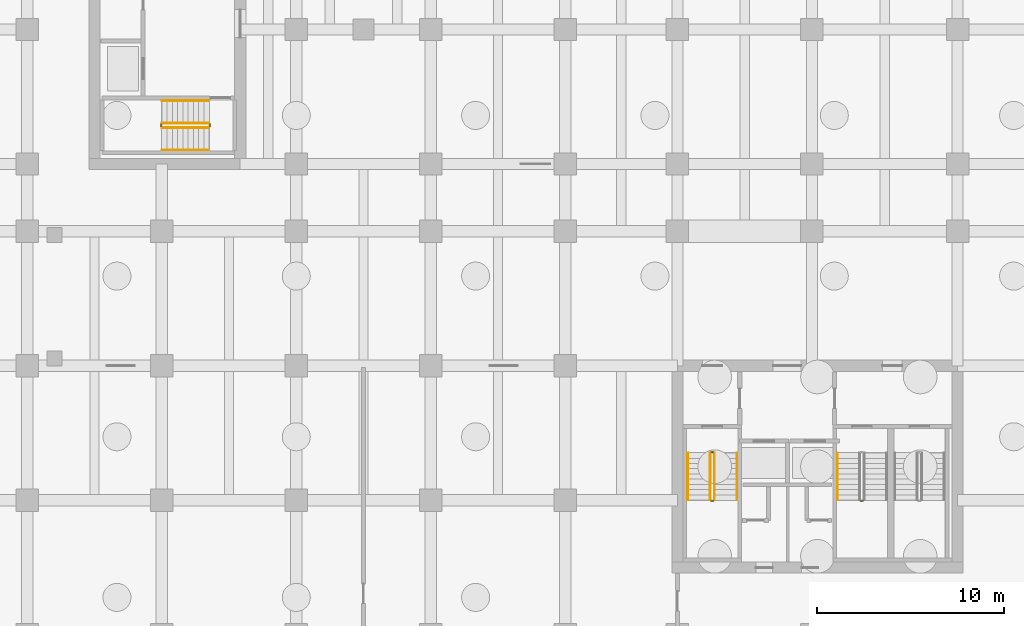
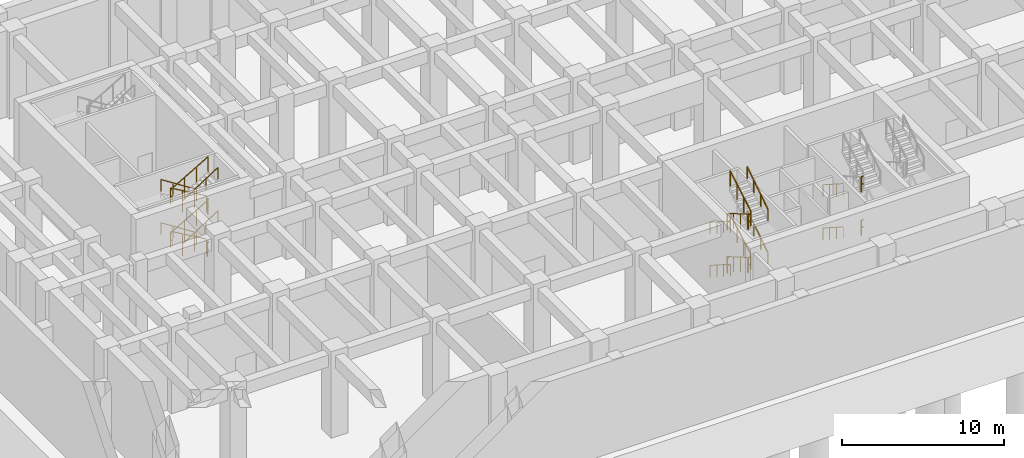
# One storey, part 10 of 13: 28 railings.
"""IFC4 building model written with IfcOpenShell, lengths in metres."""

from ifc_helpers import new_model, si_unit, derived_unit, direction, frame, origin, origin_2d, place, context, subcontext, project, spatial, rectangle, extrude, material, type_object, element, save


model = new_model("IFC4")

# Units and contexts
model_context = context("Model", 3, precision=1e-05, world=origin(), true_north=direction((0.0, 1.0)))
body_context = subcontext(model_context, "Body", "Model", "MODEL_VIEW")
ifc_project = project(units=[si_unit("LENGTHUNIT", "METRE"), si_unit("AREAUNIT", "SQUARE_METRE"), si_unit("VOLUMEUNIT", "CUBIC_METRE"), si_unit("PLANEANGLEUNIT", "RADIAN"), si_unit("MASSUNIT", "GRAM", prefix="KILO"), si_unit("THERMODYNAMICTEMPERATUREUNIT", "KELVIN"), si_unit("POWERUNIT", "WATT"), derived_unit("THERMALTRANSMITTANCEUNIT", [(si_unit("POWERUNIT", "WATT"), 1), (si_unit("AREAUNIT", "SQUARE_METRE"), -1), (si_unit("THERMODYNAMICTEMPERATUREUNIT", "KELVIN"), -1)])], contexts=[model_context])

# Site, building, storey
site_placement = place(None, origin())
site = spatial("IfcSite", under=ifc_project, at=site_placement, CompositionType="ELEMENT")
building_placement = place(site_placement, origin())
building = spatial("IfcBuilding", under=site, at=building_placement, Name="Zahravan Archway Hotel and Residences", CompositionType="ELEMENT")
storey_placement = place(building_placement, frame((0.0, 0.0, -13.0)))
storey = spatial("IfcBuildingStorey", under=building, at=storey_placement, Name="B02", CompositionType="ELEMENT", Elevation=-13.0)

# Railings
ifc_material_1 = material(Name="Painted Tubular Steel", Category="steel")
railing_type_1 = type_object("IfcRailingType", Name="RL-STG-1150", PredefinedType="GUARDRAIL", material=ifc_material_1)
railing_1_placement = place(storey_placement, frame((36.550048828125, 9.72998046875, 0.16259765625)))
element("IfcRailing", 1, at=railing_1_placement, inside=storey, type_object=railing_type_1, Name="B02 ST-A1 stair guard 1", PredefinedType="GUARDRAIL", context=body_context, shape_type="SweptSolid", body=[
    extrude(rectangle(XDim=0.048095703125, YDim=0.048095703125, at=origin_2d()), frame((0.0, 0.0, 1.1259765625), z_axis=(0.0, -0.864913338283, 0.50192122615), x_axis=(1.0, 0.0, 0.0)), (0.0, 0.0, 1.0), 2.91357421875),
    extrude(rectangle(XDim=0.0419921875, YDim=0.0419921875, at=origin_2d()), origin(), (0.0, 0.0, 1.0), 1.101806640625),
    extrude(rectangle(XDim=0.0419921875, YDim=0.0419921875, at=origin_2d()), frame((0.0, -0.840087890625, 0.487548828125)), (0.0, 0.0, 1.0), 1.101806640625),
    extrude(rectangle(XDim=0.0419921875, YDim=0.0419921875, at=origin_2d()), frame((0.0, -1.679931640625, 0.974853515625)), (0.0, 0.0, 1.0), 1.101806640625),
    extrude(rectangle(XDim=0.0419921875, YDim=0.0419921875, at=origin_2d()), frame((0.0, -2.52001953125, 1.46240234375)), (0.0, 0.0, 1.0), 1.101806640625),
])
railing_2_placement = place(storey_placement, frame((36.60009765625, 7.159912109375, 1.625)))
element("IfcRailing", 2, at=railing_2_placement, inside=storey, type_object=railing_type_1, Name="B02 ST-A1 stair guard 2", PredefinedType="GUARDRAIL", context=body_context, shape_type="SweptSolid", body=[
    extrude(rectangle(XDim=0.048095703125, YDim=0.048095703125, at=origin_2d()), frame((0.0, 0.0, 1.1259765625), z_axis=(1.0, 0.0, 0.0), x_axis=(0.0, 1.0, 0.0)), (0.0, 0.0, 1.0), 0.139892578125),
    extrude(rectangle(XDim=0.048095703125, YDim=0.048095703125, at=origin_2d()), frame((0.0, 0.0, 0.574951171875), z_axis=(1.0, 0.0, 0.0), x_axis=(0.0, 1.0, 0.0)), (0.0, 0.0, 1.0), 0.139892578125),
    extrude(rectangle(XDim=0.0419921875, YDim=0.0419921875, at=origin_2d()), origin(), (0.0, 0.0, 1.0), 1.101806640625),
])
railing_3_placement = place(storey_placement, frame((36.7900390625, 7.2099609375, 1.78759765625)))
element("IfcRailing", 3, at=railing_3_placement, inside=storey, type_object=railing_type_1, Name="B02 ST-A1 stair guard 3", PredefinedType="GUARDRAIL", context=body_context, shape_type="SweptSolid", body=[
    extrude(rectangle(XDim=0.048095703125, YDim=0.048095703125, at=origin_2d()), frame((0.0, 0.0, 1.1259765625), z_axis=(0.0, 0.864913338283, 0.50192122615), x_axis=(-1.0, 0.0, 0.0)), (0.0, 0.0, 1.0), 2.91357421875),
    extrude(rectangle(XDim=0.0419921875, YDim=0.0419921875, at=origin_2d()), origin(), (0.0, 0.0, 1.0), 1.101806640625),
    extrude(rectangle(XDim=0.0419921875, YDim=0.0419921875, at=origin_2d()), frame((0.0, 0.840087890625, 0.487548828125)), (0.0, 0.0, 1.0), 1.101806640625),
    extrude(rectangle(XDim=0.0419921875, YDim=0.0419921875, at=origin_2d()), frame((0.0, 1.679931640625, 0.974853515625)), (0.0, 0.0, 1.0), 1.101806640625),
    extrude(rectangle(XDim=0.0419921875, YDim=0.0419921875, at=origin_2d()), frame((0.0, 2.52001953125, 1.46240234375)), (0.0, 0.0, 1.0), 1.101806640625),
])
railing_4_placement = place(storey_placement, frame((36.60009765625, 9.780029296875, 3.25)))
element("IfcRailing", 4, at=railing_4_placement, inside=storey, type_object=railing_type_1, Name="B02 ST-A1 stair guard 4", PredefinedType="GUARDRAIL", context=body_context, shape_type="SweptSolid", body=[
    extrude(rectangle(XDim=0.048095703125, YDim=0.048095703125, at=origin_2d()), frame((0.0, 0.0, 1.1259765625), z_axis=(1.0, 0.0, 0.0), x_axis=(0.0, 1.0, 0.0)), (0.0, 0.0, 1.0), 0.139892578125),
    extrude(rectangle(XDim=0.048095703125, YDim=0.048095703125, at=origin_2d()), frame((0.0, 0.0, 0.574951171875), z_axis=(1.0, 0.0, 0.0), x_axis=(0.0, 1.0, 0.0)), (0.0, 0.0, 1.0), 0.139892578125),
    extrude(rectangle(XDim=0.0419921875, YDim=0.0419921875, at=origin_2d()), origin(), (0.0, 0.0, 1.0), 1.101806640625),
])
railing_5_placement = place(storey_placement, frame((36.550048828125, 9.72998046875, 3.41259765625)))
element("IfcRailing", 5, at=railing_5_placement, inside=storey, type_object=railing_type_1, Name="B02 ST-A1 stair guard 5", PredefinedType="GUARDRAIL", context=body_context, shape_type="SweptSolid", body=[
    extrude(rectangle(XDim=0.048095703125, YDim=0.048095703125, at=origin_2d()), frame((0.0, 0.0, 1.1259765625), z_axis=(0.0, -0.864913338283, 0.50192122615), x_axis=(1.0, 0.0, 0.0)), (0.0, 0.0, 1.0), 2.91357421875),
    extrude(rectangle(XDim=0.0419921875, YDim=0.0419921875, at=origin_2d()), origin(), (0.0, 0.0, 1.0), 1.101806640625),
    extrude(rectangle(XDim=0.0419921875, YDim=0.0419921875, at=origin_2d()), frame((0.0, -0.840087890625, 0.487548828125)), (0.0, 0.0, 1.0), 1.101806640625),
    extrude(rectangle(XDim=0.0419921875, YDim=0.0419921875, at=origin_2d()), frame((0.0, -1.679931640625, 0.974853515625)), (0.0, 0.0, 1.0), 1.101806640625),
    extrude(rectangle(XDim=0.0419921875, YDim=0.0419921875, at=origin_2d()), frame((0.0, -2.52001953125, 1.46240234375)), (0.0, 0.0, 1.0), 1.101806640625),
])
railing_6_placement = place(storey_placement, frame((36.60009765625, 7.159912109375, 4.875)))
element("IfcRailing", 6, at=railing_6_placement, inside=storey, type_object=railing_type_1, Name="B02 ST-A1 stair guard 6", PredefinedType="GUARDRAIL", context=body_context, shape_type="SweptSolid", body=[
    extrude(rectangle(XDim=0.048095703125, YDim=0.048095703125, at=origin_2d()), frame((0.0, 0.0, 1.1259765625), z_axis=(1.0, 0.0, 0.0), x_axis=(0.0, 1.0, 0.0)), (0.0, 0.0, 1.0), 0.139892578125),
    extrude(rectangle(XDim=0.048095703125, YDim=0.048095703125, at=origin_2d()), frame((0.0, 0.0, 0.574951171875), z_axis=(1.0, 0.0, 0.0), x_axis=(0.0, 1.0, 0.0)), (0.0, 0.0, 1.0), 0.139892578125),
    extrude(rectangle(XDim=0.0419921875, YDim=0.0419921875, at=origin_2d()), origin(), (0.0, 0.0, 1.0), 1.101806640625),
])
railing_7_placement = place(storey_placement, frame((36.7900390625, 7.2099609375, 5.03759765625)))
element("IfcRailing", 7, at=railing_7_placement, inside=storey, type_object=railing_type_1, Name="B02 ST-A1 stair guard 7", PredefinedType="GUARDRAIL", context=body_context, shape_type="SweptSolid", body=[
    extrude(rectangle(XDim=0.048095703125, YDim=0.048095703125, at=origin_2d()), frame((0.0, 0.0, 1.1259765625), z_axis=(0.0, 0.864913338283, 0.50192122615), x_axis=(-1.0, 0.0, 0.0)), (0.0, 0.0, 1.0), 2.91357421875),
    extrude(rectangle(XDim=0.0419921875, YDim=0.0419921875, at=origin_2d()), origin(), (0.0, 0.0, 1.0), 1.101806640625),
    extrude(rectangle(XDim=0.0419921875, YDim=0.0419921875, at=origin_2d()), frame((0.0, 0.840087890625, 0.487548828125)), (0.0, 0.0, 1.0), 1.101806640625),
    extrude(rectangle(XDim=0.0419921875, YDim=0.0419921875, at=origin_2d()), frame((0.0, 1.679931640625, 0.974853515625)), (0.0, 0.0, 1.0), 1.101806640625),
    extrude(rectangle(XDim=0.0419921875, YDim=0.0419921875, at=origin_2d()), frame((0.0, 2.52001953125, 1.46240234375)), (0.0, 0.0, 1.0), 1.101806640625),
])
for number, where, name in (
    (8, (36.60009765625, 9.780029296875, 0.0), "B02 ST-A1 stair guard 8"),
    (9, (44.6201171875, 7.159912109375, 1.625), "B02 ST-A2 stair guard 2"),
    (10, (44.6201171875, 7.159912109375, 4.875), "B02 ST-A2 stair guard 6"),
):
    element("IfcRailing", number, at=place(storey_placement, frame(where)), inside=storey, type_object=railing_type_1, Name=name, PredefinedType="GUARDRAIL", context=body_context, shape_type="SweptSolid", body=[
        extrude(rectangle(XDim=0.048095703125, YDim=0.048095703125, at=origin_2d()), frame((0.0, 0.0, 1.1259765625), z_axis=(1.0, 0.0, 0.0), x_axis=(0.0, 1.0, 0.0)), (0.0, 0.0, 1.0), 0.139892578125),
        extrude(rectangle(XDim=0.048095703125, YDim=0.048095703125, at=origin_2d()), frame((0.0, 0.0, 0.574951171875), z_axis=(1.0, 0.0, 0.0), x_axis=(0.0, 1.0, 0.0)), (0.0, 0.0, 1.0), 0.139892578125),
        extrude(rectangle(XDim=0.0419921875, YDim=0.0419921875, at=origin_2d()), origin(), (0.0, 0.0, 1.0), 1.101806640625),
    ])
railing_8_placement = place(storey_placement, frame((9.72998046875, 27.389892578125, 0.16259765625)))
element("IfcRailing", 11, at=railing_8_placement, inside=storey, type_object=railing_type_1, Name="B02 ST-B1 stair guard 1", PredefinedType="GUARDRAIL", context=body_context, shape_type="SweptSolid", body=[
    extrude(rectangle(XDim=0.048095703125, YDim=0.048095703125, at=origin_2d()), frame((0.0, 0.0, 1.1259765625), z_axis=(-0.864913338283, 0.0, 0.50192122615), x_axis=(0.0, -1.0, 0.0)), (0.0, 0.0, 1.0), 2.91357421875),
    extrude(rectangle(XDim=0.0419921875, YDim=0.0419921875, at=origin_2d()), origin(), (0.0, 0.0, 1.0), 1.101806640625),
    extrude(rectangle(XDim=0.0419921875, YDim=0.0419921875, at=origin_2d()), frame((-0.840087890625, 0.0, 0.487548828125)), (0.0, 0.0, 1.0), 1.101806640625),
    extrude(rectangle(XDim=0.0419921875, YDim=0.0419921875, at=origin_2d()), frame((-1.679931640625, 0.0, 0.974853515625)), (0.0, 0.0, 1.0), 1.101806640625),
    extrude(rectangle(XDim=0.0419921875, YDim=0.0419921875, at=origin_2d()), frame((-2.52001953125, 0.0, 1.46240234375)), (0.0, 0.0, 1.0), 1.101806640625),
])
railing_9_placement = place(storey_placement, frame((7.159912109375, 27.340087890625, 1.625)))
element("IfcRailing", 12, at=railing_9_placement, inside=storey, type_object=railing_type_1, Name="B02 ST-B1 stair guard 2", PredefinedType="GUARDRAIL", context=body_context, shape_type="SweptSolid", body=[
    extrude(rectangle(XDim=0.048095703125, YDim=0.048095703125, at=origin_2d()), frame((0.0, 0.0, 1.1259765625), z_axis=(0.0, -1.0, 0.0), x_axis=(1.0, 0.0, 0.0)), (0.0, 0.0, 1.0), 0.14013671875),
    extrude(rectangle(XDim=0.048095703125, YDim=0.048095703125, at=origin_2d()), frame((0.0, 0.0, 0.574951171875), z_axis=(0.0, -1.0, 0.0), x_axis=(1.0, 0.0, 0.0)), (0.0, 0.0, 1.0), 0.14013671875),
    extrude(rectangle(XDim=0.0419921875, YDim=0.0419921875, at=origin_2d()), origin(), (0.0, 0.0, 1.0), 1.101806640625),
])
railing_10_placement = place(storey_placement, frame((7.2099609375, 27.14990234375, 1.78759765625)))
element("IfcRailing", 13, at=railing_10_placement, inside=storey, type_object=railing_type_1, Name="B02 ST-B1 stair guard 3", PredefinedType="GUARDRAIL", context=body_context, shape_type="SweptSolid", body=[
    extrude(rectangle(XDim=0.048095703125, YDim=0.048095703125, at=origin_2d()), frame((0.0, 0.0, 1.1259765625), z_axis=(0.864913338283, 0.0, 0.50192122615), x_axis=(0.0, 1.0, 0.0)), (0.0, 0.0, 1.0), 2.91357421875),
    extrude(rectangle(XDim=0.0419921875, YDim=0.0419921875, at=origin_2d()), origin(), (0.0, 0.0, 1.0), 1.101806640625),
    extrude(rectangle(XDim=0.0419921875, YDim=0.0419921875, at=origin_2d()), frame((0.840087890625, 0.0, 0.487548828125)), (0.0, 0.0, 1.0), 1.101806640625),
    extrude(rectangle(XDim=0.0419921875, YDim=0.0419921875, at=origin_2d()), frame((1.679931640625, 0.0, 0.974853515625)), (0.0, 0.0, 1.0), 1.101806640625),
    extrude(rectangle(XDim=0.0419921875, YDim=0.0419921875, at=origin_2d()), frame((2.52001953125, 0.0, 1.46240234375)), (0.0, 0.0, 1.0), 1.101806640625),
])
railing_11_placement = place(storey_placement, frame((9.780029296875, 27.340087890625, 3.25)))
element("IfcRailing", 14, at=railing_11_placement, inside=storey, type_object=railing_type_1, Name="B02 ST-B1 stair guard 4", PredefinedType="GUARDRAIL", context=body_context, shape_type="SweptSolid", body=[
    extrude(rectangle(XDim=0.048095703125, YDim=0.048095703125, at=origin_2d()), frame((0.0, 0.0, 1.1259765625), z_axis=(0.0, -1.0, 0.0), x_axis=(1.0, 0.0, 0.0)), (0.0, 0.0, 1.0), 0.14013671875),
    extrude(rectangle(XDim=0.048095703125, YDim=0.048095703125, at=origin_2d()), frame((0.0, 0.0, 0.574951171875), z_axis=(0.0, -1.0, 0.0), x_axis=(1.0, 0.0, 0.0)), (0.0, 0.0, 1.0), 0.14013671875),
    extrude(rectangle(XDim=0.0419921875, YDim=0.0419921875, at=origin_2d()), origin(), (0.0, 0.0, 1.0), 1.101806640625),
])
railing_12_placement = place(storey_placement, frame((9.72998046875, 27.389892578125, 3.41259765625)))
element("IfcRailing", 15, at=railing_12_placement, inside=storey, type_object=railing_type_1, Name="B02 ST-B1 stair guard 5", PredefinedType="GUARDRAIL", context=body_context, shape_type="SweptSolid", body=[
    extrude(rectangle(XDim=0.048095703125, YDim=0.048095703125, at=origin_2d()), frame((0.0, 0.0, 1.1259765625), z_axis=(-0.864913338283, 0.0, 0.50192122615), x_axis=(0.0, -1.0, 0.0)), (0.0, 0.0, 1.0), 2.91357421875),
    extrude(rectangle(XDim=0.0419921875, YDim=0.0419921875, at=origin_2d()), origin(), (0.0, 0.0, 1.0), 1.101806640625),
    extrude(rectangle(XDim=0.0419921875, YDim=0.0419921875, at=origin_2d()), frame((-0.840087890625, 0.0, 0.487548828125)), (0.0, 0.0, 1.0), 1.101806640625),
    extrude(rectangle(XDim=0.0419921875, YDim=0.0419921875, at=origin_2d()), frame((-1.679931640625, 0.0, 0.974853515625)), (0.0, 0.0, 1.0), 1.101806640625),
    extrude(rectangle(XDim=0.0419921875, YDim=0.0419921875, at=origin_2d()), frame((-2.52001953125, 0.0, 1.46240234375)), (0.0, 0.0, 1.0), 1.101806640625),
])
railing_13_placement = place(storey_placement, frame((7.159912109375, 27.340087890625, 4.875)))
element("IfcRailing", 16, at=railing_13_placement, inside=storey, type_object=railing_type_1, Name="B02 ST-B1 stair guard 6", PredefinedType="GUARDRAIL", context=body_context, shape_type="SweptSolid", body=[
    extrude(rectangle(XDim=0.048095703125, YDim=0.048095703125, at=origin_2d()), frame((0.0, 0.0, 1.1259765625), z_axis=(0.0, -1.0, 0.0), x_axis=(1.0, 0.0, 0.0)), (0.0, 0.0, 1.0), 0.14013671875),
    extrude(rectangle(XDim=0.048095703125, YDim=0.048095703125, at=origin_2d()), frame((0.0, 0.0, 0.574951171875), z_axis=(0.0, -1.0, 0.0), x_axis=(1.0, 0.0, 0.0)), (0.0, 0.0, 1.0), 0.14013671875),
    extrude(rectangle(XDim=0.0419921875, YDim=0.0419921875, at=origin_2d()), origin(), (0.0, 0.0, 1.0), 1.101806640625),
])
railing_14_placement = place(storey_placement, frame((7.2099609375, 27.14990234375, 5.03759765625)))
element("IfcRailing", 17, at=railing_14_placement, inside=storey, type_object=railing_type_1, Name="B02 ST-B1 stair guard 7", PredefinedType="GUARDRAIL", context=body_context, shape_type="SweptSolid", body=[
    extrude(rectangle(XDim=0.048095703125, YDim=0.048095703125, at=origin_2d()), frame((0.0, 0.0, 1.1259765625), z_axis=(0.864913338283, 0.0, 0.50192122615), x_axis=(0.0, 1.0, 0.0)), (0.0, 0.0, 1.0), 2.91357421875),
    extrude(rectangle(XDim=0.0419921875, YDim=0.0419921875, at=origin_2d()), origin(), (0.0, 0.0, 1.0), 1.101806640625),
    extrude(rectangle(XDim=0.0419921875, YDim=0.0419921875, at=origin_2d()), frame((0.840087890625, 0.0, 0.487548828125)), (0.0, 0.0, 1.0), 1.101806640625),
    extrude(rectangle(XDim=0.0419921875, YDim=0.0419921875, at=origin_2d()), frame((1.679931640625, 0.0, 0.974853515625)), (0.0, 0.0, 1.0), 1.101806640625),
    extrude(rectangle(XDim=0.0419921875, YDim=0.0419921875, at=origin_2d()), frame((2.52001953125, 0.0, 1.46240234375)), (0.0, 0.0, 1.0), 1.101806640625),
])
railing_15_placement = place(storey_placement, frame((9.780029296875, 27.340087890625, 0.0)))
element("IfcRailing", 18, at=railing_15_placement, inside=storey, type_object=railing_type_1, Name="B02 ST-B1 stair guard 8", PredefinedType="GUARDRAIL", context=body_context, shape_type="SweptSolid", body=[
    extrude(rectangle(XDim=0.048095703125, YDim=0.048095703125, at=origin_2d()), frame((0.0, 0.0, 1.1259765625), z_axis=(0.0, -1.0, 0.0), x_axis=(1.0, 0.0, 0.0)), (0.0, 0.0, 1.0), 0.14013671875),
    extrude(rectangle(XDim=0.048095703125, YDim=0.048095703125, at=origin_2d()), frame((0.0, 0.0, 0.574951171875), z_axis=(0.0, -1.0, 0.0), x_axis=(1.0, 0.0, 0.0)), (0.0, 0.0, 1.0), 0.14013671875),
    extrude(rectangle(XDim=0.0419921875, YDim=0.0419921875, at=origin_2d()), origin(), (0.0, 0.0, 1.0), 1.101806640625),
])
ifc_material_2 = material(Name="Brushed Stainless Steel", Category="steel")
railing_type_2 = type_object("IfcRailingType", Name="RL-STH-900", PredefinedType="HANDRAIL", material=ifc_material_2)
railing_16_placement = place(storey_placement, frame((35.35009765625, 9.72998046875, 0.16259765625)))
element("IfcRailing", 19, at=railing_16_placement, inside=storey, type_object=railing_type_2, Name="B02 ST-A1 stair handrail 1", PredefinedType="HANDRAIL", context=body_context, shape_type="SweptSolid", body=[
    extrude(rectangle(XDim=0.048095703125, YDim=0.048095703125, at=origin_2d()), frame((0.0, 0.0, 0.8759765625), z_axis=(0.0, -0.840421059866, 0.541933983188), x_axis=(1.0, 0.0, 0.0)), (0.0, 0.0, 1.0), 2.99853515625),
    extrude(rectangle(XDim=0.0419921875, YDim=0.0419921875, at=origin_2d()), origin(), (0.0, 0.0, 1.0), 0.851806640625),
    extrude(rectangle(XDim=0.0419921875, YDim=0.0419921875, at=origin_2d()), frame((0.0, -0.840087890625, 0.541748046875)), (0.0, 0.0, 1.0), 0.851806640625),
    extrude(rectangle(XDim=0.0419921875, YDim=0.0419921875, at=origin_2d()), frame((0.0, -1.679931640625, 1.083251953125)), (0.0, 0.0, 1.0), 0.851806640625),
    extrude(rectangle(XDim=0.0419921875, YDim=0.0419921875, at=origin_2d()), frame((0.0, -2.52001953125, 1.625)), (0.0, 0.0, 1.0), 0.851806640625),
])
railing_17_placement = place(storey_placement, frame((37.989990234375, 7.2099609375, 1.78759765625)))
element("IfcRailing", 20, at=railing_17_placement, inside=storey, type_object=railing_type_2, Name="B02 ST-A1 stair handrail 2", PredefinedType="HANDRAIL", context=body_context, shape_type="SweptSolid", body=[
    extrude(rectangle(XDim=0.048095703125, YDim=0.048095703125, at=origin_2d()), frame((0.0, 0.0, 0.8759765625), z_axis=(0.0, 0.840421059866, 0.541933983188), x_axis=(-1.0, 0.0, 0.0)), (0.0, 0.0, 1.0), 2.99853515625),
    extrude(rectangle(XDim=0.0419921875, YDim=0.0419921875, at=origin_2d()), origin(), (0.0, 0.0, 1.0), 0.851806640625),
    extrude(rectangle(XDim=0.0419921875, YDim=0.0419921875, at=origin_2d()), frame((0.0, 0.840087890625, 0.541748046875)), (0.0, 0.0, 1.0), 0.851806640625),
    extrude(rectangle(XDim=0.0419921875, YDim=0.0419921875, at=origin_2d()), frame((0.0, 1.679931640625, 1.083251953125)), (0.0, 0.0, 1.0), 0.851806640625),
    extrude(rectangle(XDim=0.0419921875, YDim=0.0419921875, at=origin_2d()), frame((0.0, 2.52001953125, 1.625)), (0.0, 0.0, 1.0), 0.851806640625),
])
railing_18_placement = place(storey_placement, frame((35.35009765625, 9.72998046875, 3.41259765625)))
element("IfcRailing", 21, at=railing_18_placement, inside=storey, type_object=railing_type_2, Name="B02 ST-A1 stair handrail 3", PredefinedType="HANDRAIL", context=body_context, shape_type="SweptSolid", body=[
    extrude(rectangle(XDim=0.048095703125, YDim=0.048095703125, at=origin_2d()), frame((0.0, 0.0, 0.8759765625), z_axis=(0.0, -0.840421059866, 0.541933983188), x_axis=(1.0, 0.0, 0.0)), (0.0, 0.0, 1.0), 2.99853515625),
    extrude(rectangle(XDim=0.0419921875, YDim=0.0419921875, at=origin_2d()), origin(), (0.0, 0.0, 1.0), 0.851806640625),
    extrude(rectangle(XDim=0.0419921875, YDim=0.0419921875, at=origin_2d()), frame((0.0, -0.840087890625, 0.541748046875)), (0.0, 0.0, 1.0), 0.851806640625),
    extrude(rectangle(XDim=0.0419921875, YDim=0.0419921875, at=origin_2d()), frame((0.0, -1.679931640625, 1.083251953125)), (0.0, 0.0, 1.0), 0.851806640625),
    extrude(rectangle(XDim=0.0419921875, YDim=0.0419921875, at=origin_2d()), frame((0.0, -2.52001953125, 1.625)), (0.0, 0.0, 1.0), 0.851806640625),
])
railing_19_placement = place(storey_placement, frame((37.989990234375, 7.2099609375, 5.03759765625)))
element("IfcRailing", 22, at=railing_19_placement, inside=storey, type_object=railing_type_2, Name="B02 ST-A1 stair handrail 4", PredefinedType="HANDRAIL", context=body_context, shape_type="SweptSolid", body=[
    extrude(rectangle(XDim=0.048095703125, YDim=0.048095703125, at=origin_2d()), frame((0.0, 0.0, 0.8759765625), z_axis=(0.0, 0.840421059866, 0.541933983188), x_axis=(-1.0, 0.0, 0.0)), (0.0, 0.0, 1.0), 2.99853515625),
    extrude(rectangle(XDim=0.0419921875, YDim=0.0419921875, at=origin_2d()), origin(), (0.0, 0.0, 1.0), 0.851806640625),
    extrude(rectangle(XDim=0.0419921875, YDim=0.0419921875, at=origin_2d()), frame((0.0, 0.840087890625, 0.541748046875)), (0.0, 0.0, 1.0), 0.851806640625),
    extrude(rectangle(XDim=0.0419921875, YDim=0.0419921875, at=origin_2d()), frame((0.0, 1.679931640625, 1.083251953125)), (0.0, 0.0, 1.0), 0.851806640625),
    extrude(rectangle(XDim=0.0419921875, YDim=0.0419921875, at=origin_2d()), frame((0.0, 2.52001953125, 1.625)), (0.0, 0.0, 1.0), 0.851806640625),
])
for number, where, name in (
    (23, (43.3701171875, 9.72998046875, 0.16259765625), "B02 ST-A2 stair handrail 1"),
    (24, (43.3701171875, 9.72998046875, 3.41259765625), "B02 ST-A2 stair handrail 3"),
):
    element("IfcRailing", number, at=place(storey_placement, frame(where)), inside=storey, type_object=railing_type_2, Name=name, PredefinedType="HANDRAIL", context=body_context, shape_type="SweptSolid", body=[
        extrude(rectangle(XDim=0.048095703125, YDim=0.048095703125, at=origin_2d()), frame((0.0, 0.0, 0.8759765625), z_axis=(0.0, -0.840421059866, 0.541933983188), x_axis=(1.0, 0.0, 0.0)), (0.0, 0.0, 1.0), 2.99853515625),
        extrude(rectangle(XDim=0.0419921875, YDim=0.0419921875, at=origin_2d()), origin(), (0.0, 0.0, 1.0), 0.851806640625),
        extrude(rectangle(XDim=0.0419921875, YDim=0.0419921875, at=origin_2d()), frame((0.0, -0.840087890625, 0.541748046875)), (0.0, 0.0, 1.0), 0.851806640625),
        extrude(rectangle(XDim=0.0419921875, YDim=0.0419921875, at=origin_2d()), frame((0.0, -1.679931640625, 1.083251953125)), (0.0, 0.0, 1.0), 0.851806640625),
        extrude(rectangle(XDim=0.0419921875, YDim=0.0419921875, at=origin_2d()), frame((0.0, -2.52001953125, 1.625)), (0.0, 0.0, 1.0), 0.851806640625),
    ])
railing_20_placement = place(storey_placement, frame((9.72998046875, 28.590087890625, 0.16259765625)))
element("IfcRailing", 25, at=railing_20_placement, inside=storey, type_object=railing_type_2, Name="B02 ST-B1 stair handrail 1", PredefinedType="HANDRAIL", context=body_context, shape_type="SweptSolid", body=[
    extrude(rectangle(XDim=0.048095703125, YDim=0.048095703125, at=origin_2d()), frame((0.0, 0.0, 0.8759765625), z_axis=(-0.840421059866, 0.0, 0.541933983188), x_axis=(0.0, -1.0, 0.0)), (0.0, 0.0, 1.0), 2.99853515625),
    extrude(rectangle(XDim=0.0419921875, YDim=0.0419921875, at=origin_2d()), origin(), (0.0, 0.0, 1.0), 0.851806640625),
    extrude(rectangle(XDim=0.0419921875, YDim=0.0419921875, at=origin_2d()), frame((-0.840087890625, 0.0, 0.541748046875)), (0.0, 0.0, 1.0), 0.851806640625),
    extrude(rectangle(XDim=0.0419921875, YDim=0.0419921875, at=origin_2d()), frame((-1.679931640625, 0.0, 1.083251953125)), (0.0, 0.0, 1.0), 0.851806640625),
    extrude(rectangle(XDim=0.0419921875, YDim=0.0419921875, at=origin_2d()), frame((-2.52001953125, 0.0, 1.625)), (0.0, 0.0, 1.0), 0.851806640625),
])
railing_21_placement = place(storey_placement, frame((7.2099609375, 25.949951171875, 1.78759765625)))
element("IfcRailing", 26, at=railing_21_placement, inside=storey, type_object=railing_type_2, Name="B02 ST-B1 stair handrail 2", PredefinedType="HANDRAIL", context=body_context, shape_type="SweptSolid", body=[
    extrude(rectangle(XDim=0.048095703125, YDim=0.048095703125, at=origin_2d()), frame((0.0, 0.0, 0.8759765625), z_axis=(0.840421059866, 0.0, 0.541933983188), x_axis=(0.0, 1.0, 0.0)), (0.0, 0.0, 1.0), 2.99853515625),
    extrude(rectangle(XDim=0.0419921875, YDim=0.0419921875, at=origin_2d()), origin(), (0.0, 0.0, 1.0), 0.851806640625),
    extrude(rectangle(XDim=0.0419921875, YDim=0.0419921875, at=origin_2d()), frame((0.840087890625, 0.0, 0.541748046875)), (0.0, 0.0, 1.0), 0.851806640625),
    extrude(rectangle(XDim=0.0419921875, YDim=0.0419921875, at=origin_2d()), frame((1.679931640625, 0.0, 1.083251953125)), (0.0, 0.0, 1.0), 0.851806640625),
    extrude(rectangle(XDim=0.0419921875, YDim=0.0419921875, at=origin_2d()), frame((2.52001953125, 0.0, 1.625)), (0.0, 0.0, 1.0), 0.851806640625),
])
railing_22_placement = place(storey_placement, frame((9.72998046875, 28.590087890625, 3.41259765625)))
element("IfcRailing", 27, at=railing_22_placement, inside=storey, type_object=railing_type_2, Name="B02 ST-B1 stair handrail 3", PredefinedType="HANDRAIL", context=body_context, shape_type="SweptSolid", body=[
    extrude(rectangle(XDim=0.048095703125, YDim=0.048095703125, at=origin_2d()), frame((0.0, 0.0, 0.8759765625), z_axis=(-0.840421059866, 0.0, 0.541933983188), x_axis=(0.0, -1.0, 0.0)), (0.0, 0.0, 1.0), 2.99853515625),
    extrude(rectangle(XDim=0.0419921875, YDim=0.0419921875, at=origin_2d()), origin(), (0.0, 0.0, 1.0), 0.851806640625),
    extrude(rectangle(XDim=0.0419921875, YDim=0.0419921875, at=origin_2d()), frame((-0.840087890625, 0.0, 0.541748046875)), (0.0, 0.0, 1.0), 0.851806640625),
    extrude(rectangle(XDim=0.0419921875, YDim=0.0419921875, at=origin_2d()), frame((-1.679931640625, 0.0, 1.083251953125)), (0.0, 0.0, 1.0), 0.851806640625),
    extrude(rectangle(XDim=0.0419921875, YDim=0.0419921875, at=origin_2d()), frame((-2.52001953125, 0.0, 1.625)), (0.0, 0.0, 1.0), 0.851806640625),
])
railing_23_placement = place(storey_placement, frame((7.2099609375, 25.949951171875, 5.03759765625)))
element("IfcRailing", 28, at=railing_23_placement, inside=storey, type_object=railing_type_2, Name="B02 ST-B1 stair handrail 4", PredefinedType="HANDRAIL", context=body_context, shape_type="SweptSolid", body=[
    extrude(rectangle(XDim=0.048095703125, YDim=0.048095703125, at=origin_2d()), frame((0.0, 0.0, 0.8759765625), z_axis=(0.840421059866, 0.0, 0.541933983188), x_axis=(0.0, 1.0, 0.0)), (0.0, 0.0, 1.0), 2.99853515625),
    extrude(rectangle(XDim=0.0419921875, YDim=0.0419921875, at=origin_2d()), origin(), (0.0, 0.0, 1.0), 0.851806640625),
    extrude(rectangle(XDim=0.0419921875, YDim=0.0419921875, at=origin_2d()), frame((0.840087890625, 0.0, 0.541748046875)), (0.0, 0.0, 1.0), 0.851806640625),
    extrude(rectangle(XDim=0.0419921875, YDim=0.0419921875, at=origin_2d()), frame((1.679931640625, 0.0, 1.083251953125)), (0.0, 0.0, 1.0), 0.851806640625),
    extrude(rectangle(XDim=0.0419921875, YDim=0.0419921875, at=origin_2d()), frame((2.52001953125, 0.0, 1.625)), (0.0, 0.0, 1.0), 0.851806640625),
])

save(model, "model.ifc")
